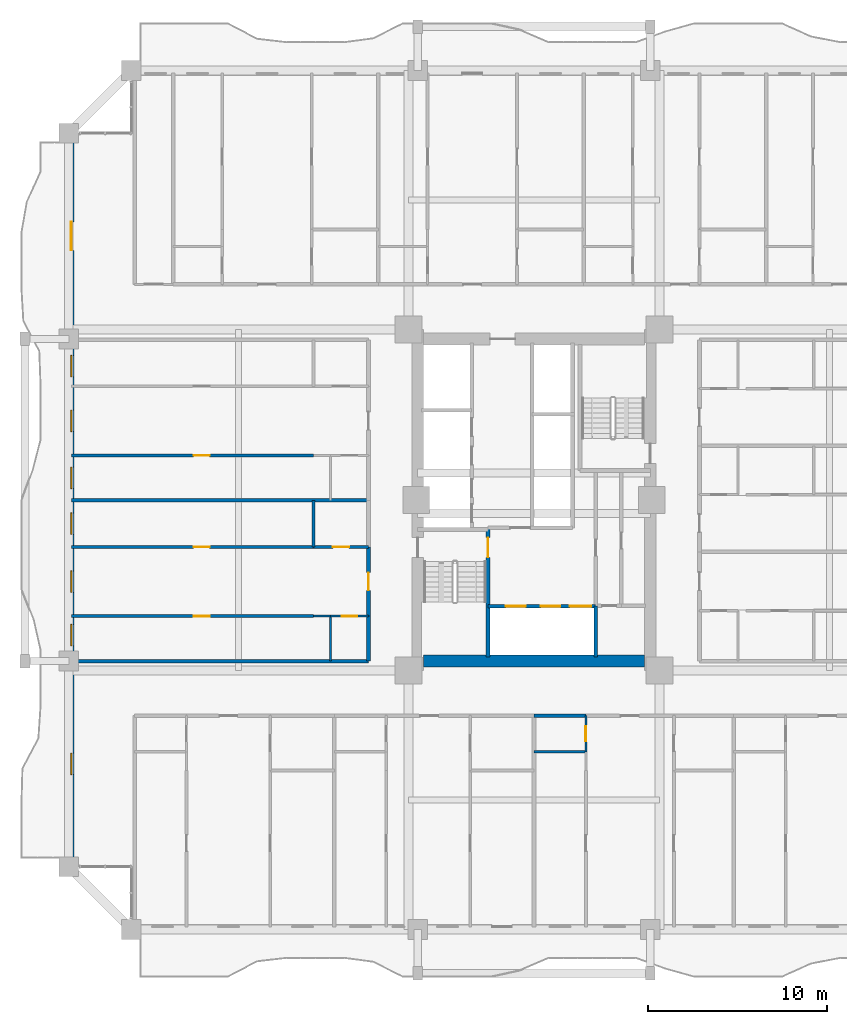
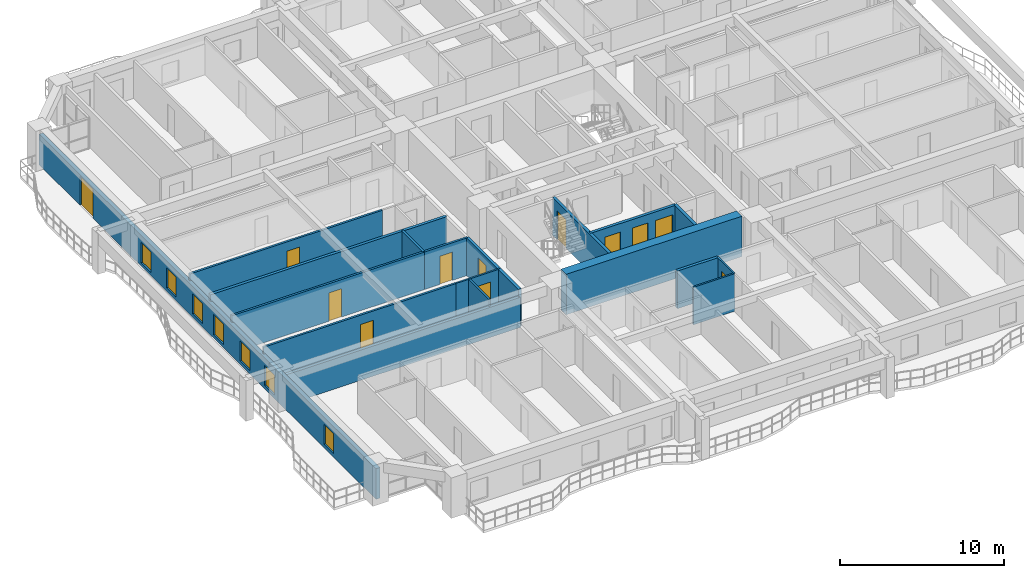
# One storey, part 15 of 27: 20 walls, 12 doors, 7 windows, 19 openings.
"""IFC4 building model written with IfcOpenShell, lengths in metres."""

from ifc_helpers import new_model, si_unit, direction, frame, frame_2d, origin, place, context, subcontext, project, spatial, rectangle, extrude, source, transform, mapped, material, layer, layer_set, type_object, element, fill, save


model = new_model("IFC4")

# Units and contexts
model_context = context("Model", 3, precision=1e-05, world=origin(), true_north=direction((0.0, 1.0)))
body_context = subcontext(model_context, "Body", "Model", "MODEL_VIEW")
ifc_project = project(units=[si_unit("LENGTHUNIT", "METRE"), si_unit("AREAUNIT", "SQUARE_METRE"), si_unit("VOLUMEUNIT", "CUBIC_METRE"), si_unit("PLANEANGLEUNIT", "RADIAN"), si_unit("MASSUNIT", "GRAM", prefix="KILO")], contexts=[model_context])

# Site, building, storey
site_placement = place(None, origin())
site = spatial("IfcSite", under=ifc_project, at=site_placement, CompositionType="ELEMENT")
building_placement = place(site_placement, origin())
building = spatial("IfcBuilding", under=site, at=building_placement, Name="Saelheon Loggia Tower", CompositionType="ELEMENT")
storey_placement = place(building_placement, frame((0.0, 0.0, 43.39990234375)))
storey = spatial("IfcBuildingStorey", under=building, at=storey_placement, Name="L13", CompositionType="ELEMENT", Elevation=43.39990234375)

# Wall
ifc_material_1 = material(Name="Concrete C60/75", Category="concrete")
ifc_layer_1 = layer(ifc_material_1, 0.64990234375)
ifc_layer_set_1 = layer_set([ifc_layer_1], Name="Concrete C60/75")
wall_type_1 = type_object("IfcWallType", Name="Wall_CoreShear_650", PredefinedType="SHEAR", material=ifc_layer_set_1)
wall_1_placement = place(storey_placement, frame((31.824951171875, 18.0, 0.0), z_axis=(0.0, 0.0, 1.0), x_axis=(1.0, 0.0, 0.0)))
element("IfcWall", 1, at=wall_1_placement, inside=storey, type_object=wall_type_1, Name="L13 Core Shear Wall South", PredefinedType="SHEAR", context=body_context, shape_type="SweptSolid", body=[
    extrude(rectangle(XDim=12.35009765625, YDim=0.64990234375, at=frame_2d((6.175048828125, 0.0))), origin(), (0.0, 0.0, 1.0), 3.0),
])

# Wall, openings, windows, door
ifc_material_2 = material(Name="Architectural Precast Concrete C40/50", Category="concrete")
ifc_layer_2 = layer(ifc_material_2, 0.280029296875)
ifc_layer_set_2 = layer_set([ifc_layer_2], Name="Architectural Precast Concrete C40/50")
wall_type_2 = type_object("IfcWallType", Name="Wall_Ext_Loggia_280", PredefinedType="SOLIDWALL", material=ifc_layer_set_2)
wall_2_placement = place(storey_placement, frame((12.139892578125, 6.5, 0.0), z_axis=(0.0, 0.0, 1.0), x_axis=(0.0, 1.0, 0.0)))
wall_2 = element("IfcWall", 2, at=wall_2_placement, inside=storey, type_object=wall_type_2, Name="L13 West Loggia Inner Wall", PredefinedType="SOLIDWALL", context=body_context, shape_type="SweptSolid", body=[
    extrude(rectangle(XDim=41.0, YDim=0.280029296875, at=frame_2d((20.5, 0.0))), origin(), (0.0, 0.0, 1.0), 2.280029296875),
])
opening_1_placement = place(wall_2_placement, frame((5.14990234375, 0.0, 0.25)))
opening_1 = element("IfcOpeningElement", 3, at=opening_1_placement, cuts=wall_2, Name="Opening WN-03", PredefinedType="OPENING", context=body_context, shape_type="SweptSolid", body=[
    extrude(rectangle(XDim=1.199951171875, YDim=1.5, at=frame_2d((0.60009765625, 0.75))), frame((0.0, 0.152099609375, 0.0), z_axis=(0.0, -1.0, 0.0), x_axis=(1.0, 0.0, 0.0)), (0.0, 0.0, 1.0), 0.303955078125),
])
opening_2_placement = place(wall_2_placement, frame((12.3515625, 0.0, 0.25)))
opening_2 = element("IfcOpeningElement", 4, at=opening_2_placement, cuts=wall_2, Name="Opening WN-03", PredefinedType="OPENING", context=body_context, shape_type="SweptSolid", body=[
    extrude(rectangle(XDim=1.199951171875, YDim=1.5, at=frame_2d((0.60009765625, 0.75))), frame((0.0, 0.152099609375, 0.0), z_axis=(0.0, -1.0, 0.0), x_axis=(1.0, 0.0, 0.0)), (0.0, 0.0, 1.0), 0.303955078125),
])
opening_3_placement = place(wall_2_placement, frame((15.343994140625, 0.0, 0.25)))
opening_3 = element("IfcOpeningElement", 5, at=opening_3_placement, cuts=wall_2, Name="Opening WN-03", PredefinedType="OPENING", context=body_context, shape_type="SweptSolid", body=[
    extrude(rectangle(XDim=1.199951171875, YDim=1.5, at=frame_2d((0.60009765625, 0.75))), frame((0.0, 0.152099609375, 0.0), z_axis=(0.0, -1.0, 0.0), x_axis=(1.0, 0.0, 0.0)), (0.0, 0.0, 1.0), 0.303955078125),
])
opening_4_placement = place(wall_2_placement, frame((18.574951171875, 0.0, 0.25)))
opening_4 = element("IfcOpeningElement", 6, at=opening_4_placement, cuts=wall_2, Name="Opening WN-03", PredefinedType="OPENING", context=body_context, shape_type="SweptSolid", body=[
    extrude(rectangle(XDim=1.199951171875, YDim=1.5, at=frame_2d((0.60009765625, 0.75))), frame((0.0, 0.152099609375, 0.0), z_axis=(0.0, -1.0, 0.0), x_axis=(1.0, 0.0, 0.0)), (0.0, 0.0, 1.0), 0.303955078125),
])
opening_5_placement = place(wall_2_placement, frame((21.131591796875, 0.0, 0.25)))
opening_5 = element("IfcOpeningElement", 7, at=opening_5_placement, cuts=wall_2, Name="Opening WN-03", PredefinedType="OPENING", context=body_context, shape_type="SweptSolid", body=[
    extrude(rectangle(XDim=1.199951171875, YDim=1.5, at=frame_2d((0.60009765625, 0.75))), frame((0.0, 0.152099609375, 0.0), z_axis=(0.0, -1.0, 0.0), x_axis=(1.0, 0.0, 0.0)), (0.0, 0.0, 1.0), 0.303955078125),
])
opening_6_placement = place(wall_2_placement, frame((24.319091796875, 0.0, 0.25)))
opening_6 = element("IfcOpeningElement", 8, at=opening_6_placement, cuts=wall_2, Name="Opening WN-03", PredefinedType="OPENING", context=body_context, shape_type="SweptSolid", body=[
    extrude(rectangle(XDim=1.199951171875, YDim=1.5, at=frame_2d((0.60009765625, 0.75))), frame((0.0, 0.152099609375, 0.0), z_axis=(0.0, -1.0, 0.0), x_axis=(1.0, 0.0, 0.0)), (0.0, 0.0, 1.0), 0.303955078125),
])
opening_7_placement = place(wall_2_placement, frame((27.3798828125, 0.0, 0.25)))
opening_7 = element("IfcOpeningElement", 9, at=opening_7_placement, cuts=wall_2, Name="Opening WN-03", PredefinedType="OPENING", context=body_context, shape_type="SweptSolid", body=[
    extrude(rectangle(XDim=1.199951171875, YDim=1.5, at=frame_2d((0.60009765625, 0.75))), frame((0.0, 0.152099609375, 0.0), z_axis=(0.0, -1.0, 0.0), x_axis=(1.0, 0.0, 0.0)), (0.0, 0.0, 1.0), 0.303955078125),
])
opening_8_placement = place(wall_2_placement, frame((34.449951171875, 0.0, 0.0)))
opening_8 = element("IfcOpeningElement", 10, at=opening_8_placement, cuts=wall_2, Name="Opening DLG-1", PredefinedType="OPENING", context=body_context, shape_type="SweptSolid", body=[
    extrude(rectangle(XDim=1.60009765625, YDim=2.14990234375, at=frame_2d((0.800048828125, 1.074951171875))), frame((0.0, 0.152099609375, 0.0), z_axis=(0.0, -1.0, 0.0), x_axis=(1.0, 0.0, 0.0)), (0.0, 0.0, 1.0), 0.303955078125),
])
ifc_material_3 = material(Name="Thermal-Break Aluminium and Triple Low-E Glass", Category="aluminium")
window_type = type_object("IfcWindowType", Name="Win_Bedroom_1200x1500", PartitioningType="SINGLE_PANEL", PredefinedType="WINDOW", material=ifc_material_3)
shared_shape_1 = source(origin(), body_context, "Body", "SweptSolid", [
    extrude(rectangle(XDim=1.199951171875, YDim=1.5, at=frame_2d((0.60009765625, 0.75))), frame((0.0, 0.030029296875, 0.0), z_axis=(0.0, -1.0, 0.0), x_axis=(1.0, 0.0, 0.0)), (0.0, 0.0, 1.0), 0.06005859375),
])
window_1_placement = place(opening_1_placement, origin())
window_1 = element("IfcWindow", 11, at=window_1_placement, inside=storey, type_object=window_type, Name="L13 W Dwelling Window 1", OverallHeight=1.5, OverallWidth=1.199951171875, PartitioningType="SINGLE_PANEL", PredefinedType="WINDOW", context=body_context, shape_type="MappedRepresentation", body=[
    mapped(shared_shape_1, transform((0.0, 0.0, 0.0), scale=1.0)),
])
fill(opening_1, window_1)
window_2_placement = place(opening_2_placement, origin())
window_2 = element("IfcWindow", 12, at=window_2_placement, inside=storey, type_object=window_type, Name="L13 W Dwelling Window 2", OverallHeight=1.5, OverallWidth=1.199951171875, PartitioningType="SINGLE_PANEL", PredefinedType="WINDOW", context=body_context, shape_type="MappedRepresentation", body=[
    mapped(shared_shape_1, transform((0.0, 0.0, 0.0), scale=1.0)),
])
fill(opening_2, window_2)
window_3_placement = place(opening_3_placement, origin())
window_3 = element("IfcWindow", 13, at=window_3_placement, inside=storey, type_object=window_type, Name="L13 W Dwelling Window 3", OverallHeight=1.5, OverallWidth=1.199951171875, PartitioningType="SINGLE_PANEL", PredefinedType="WINDOW", context=body_context, shape_type="MappedRepresentation", body=[
    mapped(shared_shape_1, transform((0.0, 0.0, 0.0), scale=1.0)),
])
fill(opening_3, window_3)
window_4_placement = place(opening_4_placement, origin())
window_4 = element("IfcWindow", 14, at=window_4_placement, inside=storey, type_object=window_type, Name="L13 W Dwelling Window 4", OverallHeight=1.5, OverallWidth=1.199951171875, PartitioningType="SINGLE_PANEL", PredefinedType="WINDOW", context=body_context, shape_type="MappedRepresentation", body=[
    mapped(shared_shape_1, transform((0.0, 0.0, 0.0), scale=1.0)),
])
fill(opening_4, window_4)
window_5_placement = place(opening_5_placement, origin())
window_5 = element("IfcWindow", 15, at=window_5_placement, inside=storey, type_object=window_type, Name="L13 W Dwelling Window 5", OverallHeight=1.5, OverallWidth=1.199951171875, PartitioningType="SINGLE_PANEL", PredefinedType="WINDOW", context=body_context, shape_type="MappedRepresentation", body=[
    mapped(shared_shape_1, transform((0.0, 0.0, 0.0), scale=1.0)),
])
fill(opening_5, window_5)
window_6_placement = place(opening_6_placement, origin())
window_6 = element("IfcWindow", 16, at=window_6_placement, inside=storey, type_object=window_type, Name="L13 W Dwelling Window 6", OverallHeight=1.5, OverallWidth=1.199951171875, PartitioningType="SINGLE_PANEL", PredefinedType="WINDOW", context=body_context, shape_type="MappedRepresentation", body=[
    mapped(shared_shape_1, transform((0.0, 0.0, 0.0), scale=1.0)),
])
fill(opening_6, window_6)
window_7_placement = place(opening_7_placement, origin())
window_7 = element("IfcWindow", 17, at=window_7_placement, inside=storey, type_object=window_type, Name="L13 W Dwelling Window 7", OverallHeight=1.5, OverallWidth=1.199951171875, PartitioningType="SINGLE_PANEL", PredefinedType="WINDOW", context=body_context, shape_type="MappedRepresentation", body=[
    mapped(shared_shape_1, transform((0.0, 0.0, 0.0), scale=1.0)),
])
fill(opening_7, window_7)
ifc_material_4 = material(Name="Thermal-Break Aluminium Sliding Glazed Door", Category="aluminium")
door_type_1 = type_object("IfcDoorType", Name="Door_LoggiaSlide_1600", OperationType="SLIDING_TO_LEFT", PredefinedType="DOOR", material=ifc_material_4)
shared_shape_2 = source(origin(), body_context, "Body", "SweptSolid", [
    extrude(rectangle(XDim=1.60009765625, YDim=2.14990234375, at=frame_2d((0.800048828125, 1.074951171875))), frame((0.0, 0.02490234375, 0.0), z_axis=(0.0, -1.0, 0.0), x_axis=(1.0, 0.0, 0.0)), (0.0, 0.0, 1.0), 0.050048828125),
])
door_1_placement = place(opening_8_placement, origin())
door_1 = element("IfcDoor", 18, at=door_1_placement, inside=storey, type_object=door_type_1, Name="L13 W Loggia Access Door", OperationType="SLIDING_TO_LEFT", OverallHeight=2.14990234375, OverallWidth=1.60009765625, PredefinedType="DOOR", context=body_context, shape_type="MappedRepresentation", body=[
    mapped(shared_shape_2, transform((0.0, 0.0, 0.0), scale=1.0)),
])
fill(opening_8, door_1)

# Wall
ifc_material_5 = material(Name="Lightweight Autoclaved Aerated Concrete Block and Acoustic Gypsum", Category="concrete")
ifc_layer_3 = layer(ifc_material_5, 0.14990234375)
ifc_layer_set_3 = layer_set([ifc_layer_3], Name="Lightweight Autoclaved Aerated Concrete Block and Acoustic Gypsum")
wall_type_3 = type_object("IfcWallType", Name="Wall_Part_150", PredefinedType="PARTITIONING", material=ifc_layer_set_3)
wall_3_placement = place(storey_placement, frame((25.679931640625, 24.375, 0.0), z_axis=(0.0, 0.0, 1.0), x_axis=(0.0, 1.0, 0.0)))
element("IfcWall", 19, at=wall_3_placement, inside=storey, type_object=wall_type_3, Name="L13 W Partition V07", PredefinedType="PARTITIONING", context=body_context, shape_type="SweptSolid", body=[
    extrude(rectangle(XDim=2.60009765625, YDim=0.14990234375, at=frame_2d((1.300048828125, 0.0))), origin(), (0.0, 0.0, 1.0), 2.7900390625),
])

# Wall, opening, door
wall_4_placement = place(storey_placement, frame((25.679931640625, 20.512939453125, 0.0), z_axis=(0.0, 0.0, 1.0), x_axis=(-1.0, 0.0, 0.0)))
wall_4 = element("IfcWall", 20, at=wall_4_placement, inside=storey, type_object=wall_type_3, Name="L13 W Partition U10", PredefinedType="PARTITIONING", context=body_context, shape_type="SweptSolid", body=[
    extrude(rectangle(XDim=13.530029296875, YDim=0.14990234375, at=frame_2d((6.76513671875, 0.0))), origin(), (0.0, 0.0, 1.0), 2.7900390625),
])
opening_9_placement = place(wall_4_placement, frame((5.80859375, 0.0, 0.0)))
opening_9 = element("IfcOpeningElement", 21, at=opening_9_placement, cuts=wall_4, Name="Opening D-IN2", PredefinedType="OPENING", context=body_context, shape_type="SweptSolid", body=[
    extrude(rectangle(XDim=0.89990234375, YDim=2.10009765625, at=frame_2d((0.449951171875, 1.050048828125))), frame((0.0, 0.0869140625, 0.0), z_axis=(0.0, -1.0, 0.0), x_axis=(1.0, 0.0, 0.0)), (0.0, 0.0, 1.0), 0.173828125),
])
ifc_material_6 = material(Name="Engineered Oak Flush Door", Category="timber")
door_type_2 = type_object("IfcDoorType", Name="Door_Int_900", OperationType="NOTDEFINED", PredefinedType="DOOR", material=ifc_material_6)
shared_shape_3 = source(origin(), body_context, "Body", "SweptSolid", [
    extrude(rectangle(XDim=0.89990234375, YDim=2.10009765625, at=frame_2d((0.449951171875, 1.050048828125))), frame((0.0, 0.02490234375, 0.0), z_axis=(0.0, -1.0, 0.0), x_axis=(1.0, 0.0, 0.0)), (0.0, 0.0, 1.0), 0.050048828125),
])
door_2_placement = place(opening_9_placement, origin())
door_2 = element("IfcDoor", 22, at=door_2_placement, inside=storey, type_object=door_type_2, Name="Unit U09 Kitchen Door", OperationType="SINGLE_SWING_RIGHT", OverallHeight=2.10009765625, OverallWidth=0.89990234375, PredefinedType="DOOR", context=body_context, shape_type="MappedRepresentation", body=[
    mapped(shared_shape_3, transform((0.0, 0.0, 0.0), scale=1.0)),
])
fill(opening_9, door_2)

wall_5_placement = place(storey_placement, frame((28.75, 24.375, 0.0), z_axis=(0.0, 0.0, 1.0), x_axis=(-1.0, 0.0, 0.0)))
wall_5 = element("IfcWall", 23, at=wall_5_placement, inside=storey, type_object=wall_type_3, Name="L13 W Partition U11", PredefinedType="PARTITIONING", context=body_context, shape_type="SweptSolid", body=[
    extrude(rectangle(XDim=3.070068359375, YDim=0.14990234375, at=frame_2d((1.53515625, 0.0))), origin(), (0.0, 0.0, 1.0), 2.7900390625),
])
opening_10_placement = place(wall_5_placement, frame((1.0849609375, 0.0, 0.0)))
opening_10 = element("IfcOpeningElement", 24, at=opening_10_placement, cuts=wall_5, Name="Opening D-IN2", PredefinedType="OPENING", context=body_context, shape_type="SweptSolid", body=[
    extrude(rectangle(XDim=0.89990234375, YDim=2.10009765625, at=frame_2d((0.449951171875, 1.050048828125))), frame((0.0, 0.0869140625, 0.0), z_axis=(0.0, -1.0, 0.0), x_axis=(1.0, 0.0, 0.0)), (0.0, 0.0, 1.0), 0.173828125),
])
door_3_placement = place(opening_10_placement, origin())
door_3 = element("IfcDoor", 25, at=door_3_placement, inside=storey, type_object=door_type_2, Name="Unit U09 Dressing Closet Door", OperationType="SINGLE_SWING_LEFT", OverallHeight=2.10009765625, OverallWidth=0.89990234375, PredefinedType="DOOR", context=body_context, shape_type="MappedRepresentation", body=[
    mapped(shared_shape_3, transform((0.0, 0.0, 0.0), scale=1.0)),
])
fill(opening_10, door_3)

wall_6_placement = place(storey_placement, frame((25.679931640625, 24.375, 0.0), z_axis=(0.0, 0.0, 1.0), x_axis=(-1.0, 0.0, 0.0)))
wall_6 = element("IfcWall", 26, at=wall_6_placement, inside=storey, type_object=wall_type_3, Name="L13 W Partition U12", PredefinedType="PARTITIONING", context=body_context, shape_type="SweptSolid", body=[
    extrude(rectangle(XDim=13.530029296875, YDim=0.14990234375, at=frame_2d((6.76513671875, 0.0))), origin(), (0.0, 0.0, 1.0), 2.7900390625),
])
opening_11_placement = place(wall_6_placement, frame((5.80859375, 0.0, 0.0)))
opening_11 = element("IfcOpeningElement", 27, at=opening_11_placement, cuts=wall_6, Name="Opening D-IN2", PredefinedType="OPENING", context=body_context, shape_type="SweptSolid", body=[
    extrude(rectangle(XDim=0.89990234375, YDim=2.10009765625, at=frame_2d((0.449951171875, 1.050048828125))), frame((0.0, 0.0869140625, 0.0), z_axis=(0.0, -1.0, 0.0), x_axis=(1.0, 0.0, 0.0)), (0.0, 0.0, 1.0), 0.173828125),
])
door_4_placement = place(opening_11_placement, origin())
door_4 = element("IfcDoor", 28, at=door_4_placement, inside=storey, type_object=door_type_2, Name="Unit U09 Bedroom 1 Door", OperationType="SINGLE_SWING_RIGHT", OverallHeight=2.10009765625, OverallWidth=0.89990234375, PredefinedType="DOOR", context=body_context, shape_type="MappedRepresentation", body=[
    mapped(shared_shape_3, transform((0.0, 0.0, 0.0), scale=1.0)),
])
fill(opening_11, door_4)

wall_7_placement = place(storey_placement, frame((25.679931640625, 29.488037109375, 0.0), z_axis=(0.0, 0.0, 1.0), x_axis=(-1.0, 0.0, 0.0)))
wall_7 = element("IfcWall", 29, at=wall_7_placement, inside=storey, type_object=wall_type_3, Name="L13 W Partition U21", PredefinedType="PARTITIONING", context=body_context, shape_type="SweptSolid", body=[
    extrude(rectangle(XDim=13.530029296875, YDim=0.14990234375, at=frame_2d((6.76513671875, 0.0))), origin(), (0.0, 0.0, 1.0), 2.7900390625),
])
opening_12_placement = place(wall_7_placement, frame((5.80859375, 0.0, 0.0)))
opening_12 = element("IfcOpeningElement", 30, at=opening_12_placement, cuts=wall_7, Name="Opening D-IN2", PredefinedType="OPENING", context=body_context, shape_type="SweptSolid", body=[
    extrude(rectangle(XDim=0.89990234375, YDim=2.10009765625, at=frame_2d((0.449951171875, 1.050048828125))), frame((0.0, 0.0869140625, 0.0), z_axis=(0.0, -1.0, 0.0), x_axis=(1.0, 0.0, 0.0)), (0.0, 0.0, 1.0), 0.173828125),
])
door_5_placement = place(opening_12_placement, origin())
door_5 = element("IfcDoor", 31, at=door_5_placement, inside=storey, type_object=door_type_2, Name="Unit U10 Kitchen Door", OperationType="SINGLE_SWING_LEFT", OverallHeight=2.10009765625, OverallWidth=0.89990234375, PredefinedType="DOOR", context=body_context, shape_type="MappedRepresentation", body=[
    mapped(shared_shape_3, transform((0.0, 0.0, 0.0), scale=1.0)),
])
fill(opening_12, door_5)

# Walls
ifc_material_7 = material(Name="Double Acoustic Stud and Fireboard Partition", Category="gypsum")
ifc_layer_4 = layer(ifc_material_7, 0.199951171875)
ifc_layer_set_4 = layer_set([ifc_layer_4], Name="Double Acoustic Stud and Fireboard Partition")
wall_type_4 = type_object("IfcWallType", Name="Wall_Party_200", PredefinedType="PARTITIONING", material=ifc_layer_set_4)
wall_8_placement = place(storey_placement, frame((38.0, 14.949951171875, 0.0), z_axis=(0.0, 0.0, 1.0), x_axis=(1.0, 0.0, 0.0)))
element("IfcWall", 32, at=wall_8_placement, inside=storey, type_object=wall_type_4, Name="L13 S Partition V25", PredefinedType="PARTITIONING", context=body_context, shape_type="SweptSolid", body=[
    extrude(rectangle(XDim=2.901611328125, YDim=0.199951171875, at=frame_2d((1.45068359375, 0.0))), origin(), (0.0, 0.0, 1.0), 2.7900390625),
])
wall_9_placement = place(storey_placement, frame((28.75, 18.0, 0.0), z_axis=(0.0, 0.0, 1.0), x_axis=(-1.0, 0.0, 0.0)))
element("IfcWall", 33, at=wall_9_placement, inside=storey, type_object=wall_type_4, Name="L13 W Partition U01", PredefinedType="PARTITIONING", context=body_context, shape_type="SweptSolid", body=[
    extrude(rectangle(XDim=16.60009765625, YDim=0.199951171875, at=frame_2d((8.300048828125, 0.0))), origin(), (0.0, 0.0, 1.0), 2.239990234375),
])
wall_10_placement = place(storey_placement, frame((28.75, 18.0, 0.0), z_axis=(0.0, 0.0, 1.0), x_axis=(0.0, 1.0, 0.0)))
element("IfcWall", 34, at=wall_10_placement, inside=storey, type_object=wall_type_4, Name="L13 W Partition V03", PredefinedType="PARTITIONING", context=body_context, shape_type="SweptSolid", body=[
    extrude(rectangle(XDim=2.512939453125, YDim=0.199951171875, at=frame_2d((1.25634765625, 0.0))), origin(), (0.0, 0.0, 1.0), 2.7900390625),
])

# Wall, opening, door
wall_11_placement = place(storey_placement, frame((28.75, 20.512939453125, 0.0), z_axis=(0.0, 0.0, 1.0), x_axis=(0.0, 1.0, 0.0)))
wall_11 = element("IfcWall", 35, at=wall_11_placement, inside=storey, type_object=wall_type_4, Name="L13 W Partition V04", PredefinedType="PARTITIONING", context=body_context, shape_type="SweptSolid", body=[
    extrude(rectangle(XDim=3.862060546875, YDim=0.199951171875, at=frame_2d((1.93115234375, 0.0))), origin(), (0.0, 0.0, 1.0), 2.7900390625),
])
opening_13_placement = place(wall_11_placement, frame((1.430908203125, 0.0, 0.0)))
opening_13 = element("IfcOpeningElement", 36, at=opening_13_placement, cuts=wall_11, Name="Opening D-FD1", PredefinedType="OPENING", context=body_context, shape_type="SweptSolid", body=[
    extrude(rectangle(XDim=1.0, YDim=2.14990234375, at=frame_2d((0.5, 1.074951171875))), frame((0.0, 0.112060546875, 0.0), z_axis=(0.0, -1.0, 0.0), x_axis=(1.0, 0.0, 0.0)), (0.0, 0.0, 1.0), 0.223876953125),
])
ifc_material_8 = material(Name="Fire-Rated Engineered Timber Entrance Door", Category="wood")
door_type_3 = type_object("IfcDoorType", Name="Door_Flat_FD30S", OperationType="NOTDEFINED", PredefinedType="DOOR", material=ifc_material_8)
shared_shape_4 = source(origin(), body_context, "Body", "SweptSolid", [
    extrude(rectangle(XDim=1.0, YDim=2.14990234375, at=frame_2d((0.5, 1.074951171875))), frame((0.0, 0.02490234375, 0.0), z_axis=(0.0, -1.0, 0.0), x_axis=(1.0, 0.0, 0.0)), (0.0, 0.0, 1.0), 0.050048828125),
])
door_6_placement = place(opening_13_placement, origin())
door_6 = element("IfcDoor", 37, at=door_6_placement, inside=storey, type_object=door_type_3, Name="Unit U09 Entrance Door", OperationType="SINGLE_SWING_RIGHT", OverallHeight=2.14990234375, OverallWidth=1.0, PredefinedType="DOOR", context=body_context, shape_type="MappedRepresentation", body=[
    mapped(shared_shape_4, transform((0.0, 0.0, 0.0), scale=1.0)),
])
fill(opening_13, door_6)

# Walls
wall_12_placement = place(storey_placement, frame((28.75, 26.97509765625, 0.0), z_axis=(0.0, 0.0, 1.0), x_axis=(-1.0, 0.0, 0.0)))
element("IfcWall", 38, at=wall_12_placement, inside=storey, type_object=wall_type_4, Name="L13 W Partition U13", PredefinedType="PARTITIONING", context=body_context, shape_type="SweptSolid", body=[
    extrude(rectangle(XDim=16.60009765625, YDim=0.199951171875, at=frame_2d((8.300048828125, 0.0))), origin(), (0.0, 0.0, 1.0), 2.7900390625),
])
ifc_material_9 = material(Name="Concrete C40/50", Category="concrete")
ifc_layer_5 = layer(ifc_material_9, 0.199951171875)
ifc_layer_set_5 = layer_set([ifc_layer_5], Name="Concrete C40/50")
wall_type_5 = type_object("IfcWallType", Name="Wall_Shaft_200", PredefinedType="PARTITIONING", material=ifc_layer_set_5)
wall_13_placement = place(storey_placement, frame((41.449951171875, 18.219970703125, 0.0), z_axis=(0.0, 0.0, 1.0), x_axis=(0.0, 1.0, 0.0)))
element("IfcWall", 39, at=wall_13_placement, inside=storey, type_object=wall_type_5, Name="CW-INT-L13-BOH-W0", PredefinedType="PARTITIONING", context=body_context, shape_type="SweptSolid", body=[
    extrude(rectangle(XDim=2.860107421875, YDim=0.199951171875, at=frame_2d((1.43017578125, 0.0))), origin(), (0.0, 0.0, 1.0), 2.7900390625),
])

# Wall, openings, doors
wall_14_placement = place(storey_placement, frame((35.429931640625, 21.06005859375, 0.0), z_axis=(0.0, 0.0, 1.0), x_axis=(1.0, 0.0, 0.0)))
wall_14 = element("IfcWall", 40, at=wall_14_placement, inside=storey, type_object=wall_type_5, Name="L13 Firefighting Lift Shaft Front Wall", PredefinedType="PARTITIONING", context=body_context, shape_type="SweptSolid", body=[
    extrude(rectangle(XDim=6.02001953125, YDim=0.199951171875, at=frame_2d((3.010009765625, 0.0))), origin(), (0.0, 0.0, 1.0), 2.7900390625),
])
opening_14_placement = place(wall_14_placement, frame((1.0, 0.0, 0.0)))
opening_14 = element("IfcOpeningElement", 41, at=opening_14_placement, cuts=wall_14, Name="Opening LD2", PredefinedType="OPENING", context=body_context, shape_type="SweptSolid", body=[
    extrude(rectangle(XDim=1.10009765625, YDim=2.14990234375, at=frame_2d((0.550048828125, 1.074951171875))), frame((0.0, 0.112060546875, 0.0), z_axis=(0.0, -1.0, 0.0), x_axis=(1.0, 0.0, 0.0)), (0.0, 0.0, 1.0), 0.223876953125),
])
opening_15_placement = place(wall_14_placement, frame((2.949951171875, 0.0, 0.0)))
opening_15 = element("IfcOpeningElement", 42, at=opening_15_placement, cuts=wall_14, Name="Opening LD2", PredefinedType="OPENING", context=body_context, shape_type="SweptSolid", body=[
    extrude(rectangle(XDim=1.10009765625, YDim=2.14990234375, at=frame_2d((0.550048828125, 1.074951171875))), frame((0.0, 0.112060546875, 0.0), z_axis=(0.0, -1.0, 0.0), x_axis=(1.0, 0.0, 0.0)), (0.0, 0.0, 1.0), 0.223876953125),
])
opening_16_placement = place(wall_14_placement, frame((4.580078125, 0.0, 0.0)))
opening_16 = element("IfcOpeningElement", 43, at=opening_16_placement, cuts=wall_14, Name="Opening LD3", PredefinedType="OPENING", context=body_context, shape_type="SweptSolid", body=[
    extrude(rectangle(XDim=1.199951171875, YDim=2.14990234375, at=frame_2d((0.60009765625, 1.074951171875))), frame((0.0, 0.112060546875, 0.0), z_axis=(0.0, -1.0, 0.0), x_axis=(1.0, 0.0, 0.0)), (0.0, 0.0, 1.0), 0.223876953125),
])
ifc_material_10 = material(Name="Firefighting Stainless Steel 316 Landing Door", Category="steel")
door_type_4 = type_object("IfcDoorType", Name="Door_Lift_LD2", OperationType="DOUBLE_DOOR_SLIDING", PredefinedType="DOOR", material=ifc_material_10)
shared_shape_5 = source(origin(), body_context, "Body", "SweptSolid", [
    extrude(rectangle(XDim=1.10009765625, YDim=2.14990234375, at=frame_2d((0.550048828125, 1.074951171875))), frame((0.0, 0.02490234375, 0.0), z_axis=(0.0, -1.0, 0.0), x_axis=(1.0, 0.0, 0.0)), (0.0, 0.0, 1.0), 0.050048828125),
])
door_7_placement = place(opening_14_placement, origin())
door_7 = element("IfcDoor", 44, at=door_7_placement, inside=storey, type_object=door_type_4, Name="L13 FF1 Landing Door", OperationType="DOUBLE_DOOR_SLIDING", OverallHeight=2.14990234375, OverallWidth=1.10009765625, PredefinedType="DOOR", context=body_context, shape_type="MappedRepresentation", body=[
    mapped(shared_shape_5, transform((0.0, 0.0, 0.0), scale=1.0)),
])
fill(opening_14, door_7)
door_8_placement = place(opening_15_placement, origin())
door_8 = element("IfcDoor", 45, at=door_8_placement, inside=storey, type_object=door_type_4, Name="L13 FF2 Landing Door", OperationType="DOUBLE_DOOR_SLIDING", OverallHeight=2.14990234375, OverallWidth=1.10009765625, PredefinedType="DOOR", context=body_context, shape_type="MappedRepresentation", body=[
    mapped(shared_shape_5, transform((0.0, 0.0, 0.0), scale=1.0)),
])
fill(opening_15, door_8)
ifc_material_11 = material(Name="Stretcher Lift Stainless Steel 304 Landing Door", Category="steel")
door_type_5 = type_object("IfcDoorType", Name="Door_Lift_LD3", OperationType="DOUBLE_DOOR_SLIDING", PredefinedType="DOOR", material=ifc_material_11)
shared_shape_6 = source(origin(), body_context, "Body", "SweptSolid", [
    extrude(rectangle(XDim=1.199951171875, YDim=2.14990234375, at=frame_2d((0.60009765625, 1.074951171875))), frame((0.0, 0.02490234375, 0.0), z_axis=(0.0, -1.0, 0.0), x_axis=(1.0, 0.0, 0.0)), (0.0, 0.0, 1.0), 0.050048828125),
])
door_9_placement = place(opening_16_placement, origin())
door_9 = element("IfcDoor", 46, at=door_9_placement, inside=storey, type_object=door_type_5, Name="L13 SV1 Landing Door", OperationType="DOUBLE_DOOR_SLIDING", OverallHeight=2.14990234375, OverallWidth=1.199951171875, PredefinedType="DOOR", context=body_context, shape_type="MappedRepresentation", body=[
    mapped(shared_shape_6, transform((0.0, 0.0, 0.0), scale=1.0)),
])
fill(opening_16, door_9)

# Wall, opening, door
ifc_material_12 = material(Name="Concrete C45/55", Category="concrete")
ifc_layer_6 = layer(ifc_material_12, 0.199951171875)
ifc_layer_set_6 = layer_set([ifc_layer_6], Name="Concrete C45/55")
wall_type_6 = type_object("IfcWallType", Name="Wall_StairShaft_RC200", PredefinedType="SOLIDWALL", material=ifc_layer_set_6)
wall_15_placement = place(storey_placement, frame((35.429931640625, 18.219970703125, 0.0), z_axis=(0.0, 0.0, 1.0), x_axis=(0.0, 1.0, 0.0)))
wall_15 = element("IfcWall", 47, at=wall_15_placement, inside=storey, type_object=wall_type_6, Name="L13 Stair ST1 Shaft Wall", PredefinedType="SOLIDWALL", context=body_context, shape_type="SweptSolid", body=[
    extrude(rectangle(XDim=7.219970703125, YDim=0.199951171875, at=frame_2d((3.60986328125, 0.0))), origin(), (0.0, 0.0, 1.0), 2.7900390625),
])
opening_17_placement = place(wall_15_placement, frame((6.68017578125, 0.0, 0.0), z_axis=(0.0, 0.0, 1.0), x_axis=(-1.0, 0.0, 0.0)))
opening_17 = element("IfcOpeningElement", 48, at=opening_17_placement, cuts=wall_15, Name="Opening D-FD2", PredefinedType="OPENING", context=body_context, shape_type="SweptSolid", body=[
    extrude(rectangle(XDim=1.10009765625, YDim=2.14990234375, at=frame_2d((0.550048828125, 1.074951171875))), frame((0.0, 0.112060546875, 0.0), z_axis=(0.0, -1.0, 0.0), x_axis=(1.0, 0.0, 0.0)), (0.0, 0.0, 1.0), 0.223876953125),
])
ifc_material_13 = material(Name="Galvanised Steel Fire Door", Category="steel")
door_type_6 = type_object("IfcDoorType", Name="Door_Fire_FD60_1100", OperationType="NOTDEFINED", PredefinedType="DOOR", material=ifc_material_13)
door_10_placement = place(opening_17_placement, origin())
door_10 = element("IfcDoor", 49, at=door_10_placement, inside=storey, type_object=door_type_6, Name="L13 Stair ST1 Lobby Door", OperationType="SINGLE_SWING_RIGHT", OverallHeight=2.14990234375, OverallWidth=1.10009765625, PredefinedType="DOOR", context=body_context, shape_type="MappedRepresentation", body=[
    mapped(shared_shape_5, transform((0.0, 0.0, 0.0), scale=1.0)),
])
fill(opening_17, door_10)

# Wall
ifc_material_14 = material(Name="Moisture-Resistant Cement Board Partition", Category="gypsum")
ifc_layer_7 = layer(ifc_material_14, 0.1201171875)
ifc_layer_set_7 = layer_set([ifc_layer_7], Name="Moisture-Resistant Cement Board Partition")
wall_type_7 = type_object("IfcWallType", Name="Wall_WetPart_120", PredefinedType="PARTITIONING", material=ifc_layer_set_7)
wall_16_placement = place(storey_placement, frame((38.0, 12.929931640625, 0.0), z_axis=(0.0, 0.0, 1.0), x_axis=(1.0, 0.0, 0.0)))
element("IfcWall", 50, at=wall_16_placement, inside=storey, type_object=wall_type_7, Name="L13 S Partition V28", PredefinedType="PARTITIONING", context=body_context, shape_type="SweptSolid", body=[
    extrude(rectangle(XDim=2.901611328125, YDim=0.1201171875, at=frame_2d((1.45068359375, 0.0))), origin(), (0.0, 0.0, 1.0), 2.7900390625),
])

# Wall, opening, door
wall_17_placement = place(storey_placement, frame((40.901611328125, 14.949951171875, 0.0), z_axis=(0.0, 0.0, 1.0), x_axis=(0.0, -1.0, 0.0)))
wall_17 = element("IfcWall", 51, at=wall_17_placement, inside=storey, type_object=wall_type_7, Name="L13 S Partition U30", PredefinedType="PARTITIONING", context=body_context, shape_type="SweptSolid", body=[
    extrude(rectangle(XDim=2.02001953125, YDim=0.1201171875, at=frame_2d((1.010009765625, 0.0))), origin(), (0.0, 0.0, 1.0), 2.7900390625),
])
opening_18_placement = place(wall_17_placement, frame((0.5849609375, 0.0, 0.0)))
opening_18 = element("IfcOpeningElement", 52, at=opening_18_placement, cuts=wall_17, Name="Opening D-BT1", PredefinedType="OPENING", context=body_context, shape_type="SweptSolid", body=[
    extrude(rectangle(XDim=0.85009765625, YDim=2.050048828125, at=frame_2d((0.425048828125, 1.02490234375))), frame((0.0, 0.072021484375, 0.0), z_axis=(0.0, -1.0, 0.0), x_axis=(1.0, 0.0, 0.0)), (0.0, 0.0, 1.0), 0.14404296875),
])
ifc_material_15 = material(Name="Moisture-Resistant Laminate Timber Door", Category="wood")
door_type_7 = type_object("IfcDoorType", Name="Door_Bath_850", OperationType="NOTDEFINED", PredefinedType="DOOR", material=ifc_material_15)
shared_shape_7 = source(origin(), body_context, "Body", "SweptSolid", [
    extrude(rectangle(XDim=0.85009765625, YDim=2.050048828125, at=frame_2d((0.425048828125, 1.02490234375))), frame((0.0, 0.02490234375, 0.0), z_axis=(0.0, -1.0, 0.0), x_axis=(1.0, 0.0, 0.0)), (0.0, 0.0, 1.0), 0.050048828125),
])
door_11_placement = place(opening_18_placement, origin())
door_11 = element("IfcDoor", 53, at=door_11_placement, inside=storey, type_object=door_type_7, Name="Unit U03 Bathroom Door", OperationType="SINGLE_SWING_RIGHT", OverallHeight=2.050048828125, OverallWidth=0.85009765625, PredefinedType="DOOR", context=body_context, shape_type="MappedRepresentation", body=[
    mapped(shared_shape_7, transform((0.0, 0.0, 0.0), scale=1.0)),
])
fill(opening_18, door_11)

# Wall
wall_18_placement = place(storey_placement, frame((26.6298828125, 18.0, 0.0), z_axis=(0.0, 0.0, 1.0), x_axis=(0.0, 1.0, 0.0)))
element("IfcWall", 54, at=wall_18_placement, inside=storey, type_object=wall_type_7, Name="L13 W Partition V06", PredefinedType="PARTITIONING", context=body_context, shape_type="SweptSolid", body=[
    extrude(rectangle(XDim=2.512939453125, YDim=0.1201171875, at=frame_2d((1.25634765625, 0.0))), origin(), (0.0, 0.0, 1.0), 2.7900390625),
])

# Wall, opening, door
wall_19_placement = place(storey_placement, frame((28.75, 20.512939453125, 0.0), z_axis=(0.0, 0.0, 1.0), x_axis=(-1.0, 0.0, 0.0)))
wall_19 = element("IfcWall", 55, at=wall_19_placement, inside=storey, type_object=wall_type_7, Name="L13 W Partition U08", PredefinedType="PARTITIONING", context=body_context, shape_type="SweptSolid", body=[
    extrude(rectangle(XDim=2.1201171875, YDim=0.1201171875, at=frame_2d((1.06005859375, 0.0))), origin(), (0.0, 0.0, 1.0), 2.7900390625),
])
opening_19_placement = place(wall_19_placement, frame((0.635009765625, 0.0, 0.0)))
opening_19 = element("IfcOpeningElement", 56, at=opening_19_placement, cuts=wall_19, Name="Opening D-BT1", PredefinedType="OPENING", context=body_context, shape_type="SweptSolid", body=[
    extrude(rectangle(XDim=0.85009765625, YDim=2.050048828125, at=frame_2d((0.425048828125, 1.02490234375))), frame((0.0, 0.072021484375, 0.0), z_axis=(0.0, -1.0, 0.0), x_axis=(1.0, 0.0, 0.0)), (0.0, 0.0, 1.0), 0.14404296875),
])
door_12_placement = place(opening_19_placement, origin())
door_12 = element("IfcDoor", 57, at=door_12_placement, inside=storey, type_object=door_type_7, Name="Unit U09 Bathroom Door", OperationType="SINGLE_SWING_LEFT", OverallHeight=2.050048828125, OverallWidth=0.85009765625, PredefinedType="DOOR", context=body_context, shape_type="MappedRepresentation", body=[
    mapped(shared_shape_7, transform((0.0, 0.0, 0.0), scale=1.0)),
])
fill(opening_19, door_12)

# Wall
wall_20_placement = place(storey_placement, frame((26.6298828125, 20.512939453125, 0.0), z_axis=(0.0, 0.0, 1.0), x_axis=(-1.0, 0.0, 0.0)))
element("IfcWall", 58, at=wall_20_placement, inside=storey, type_object=wall_type_7, Name="L13 W Partition U09", PredefinedType="PARTITIONING", context=body_context, shape_type="SweptSolid", body=[
    extrude(rectangle(XDim=0.949951171875, YDim=0.1201171875, at=frame_2d((0.47509765625, 0.0))), origin(), (0.0, 0.0, 1.0), 2.7900390625),
])

save(model, "model.ifc")
